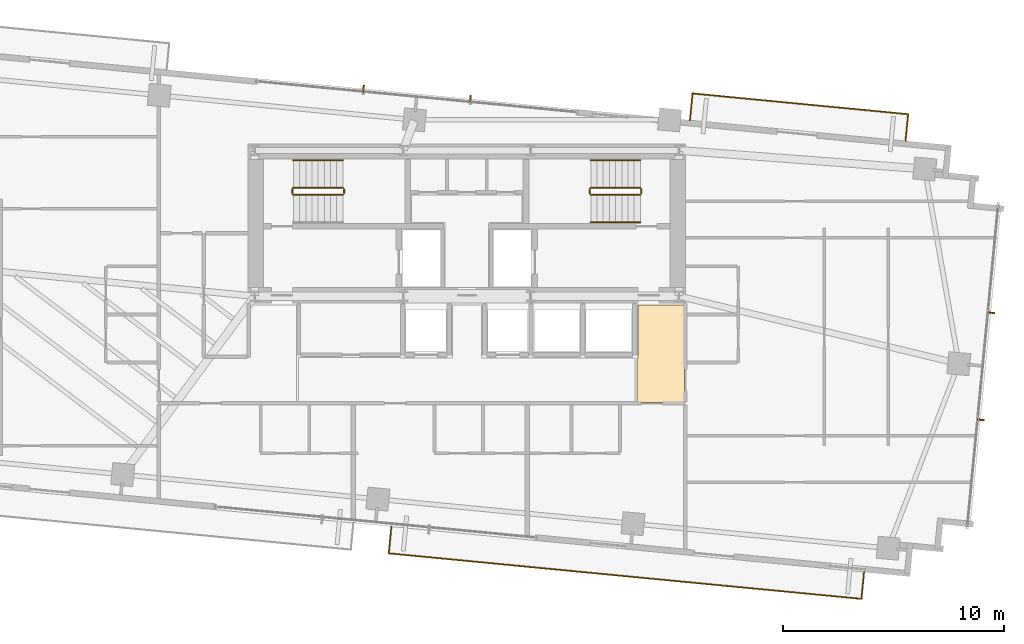
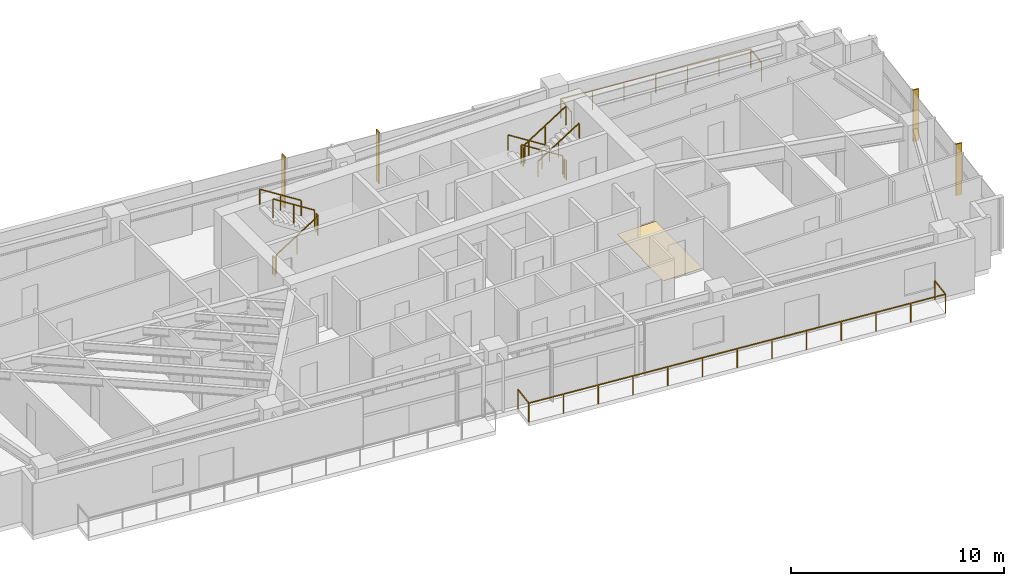
# One storey, part 19 of 19: 13 railings, 4 shading devices, 1 covering.
"""IFC4 building model written with IfcOpenShell, lengths in metres."""

import ifcopenshell
import ifcopenshell.guid

model = None  # the IFC model being written
_history = None  # IfcOwnerHistory: only IFC2X3 demands one
_inside = {}  # id of a spatial element -> (the spatial element, [elements in it])
_under = {}  # id of a project, library or spatial element -> (it, [spatial elements below it])
_declared = {}  # id of a project -> (the project, [libraries it declares])
_typed = {}  # id of a type object -> (the type object, [elements of that type])
_made_of = {}  # id of a material, layer set ... -> (it, [elements and type objects made of it])


def new_model(schema):
    """Start an empty IFC model of exactly this schema.

    Asked for "IFC4X3", IfcOpenShell would pick the latest addendum, in which some entities
    have other attributes; the version numbers below select the first issue.
    IFC2X3 requires an IfcOwnerHistory on every rooted entity: one is made here for all.
    """
    global model, _history
    if schema == "IFC4X3":
        model = ifcopenshell.file(schema_version=(4, 3, 0, 0))
    else:
        model = ifcopenshell.file(schema=schema)
    _inside.clear()
    _under.clear()
    _declared.clear()
    _typed.clear()
    _made_of.clear()
    _history = None
    if model.schema == "IFC2X3":
        org = make("IfcOrganization", Name="unknown")
        user = make(
            "IfcPersonAndOrganization",
            ThePerson=make("IfcPerson", FamilyName="unknown"),
            TheOrganization=org,
        )
        app = make(
            "IfcApplication",
            ApplicationDeveloper=org,
            Version="unknown",
            ApplicationFullName="unknown",
            ApplicationIdentifier="unknown",
        )
        _history = make(
            "IfcOwnerHistory",
            OwningUser=user,
            OwningApplication=app,
            ChangeAction="ADDED",
            CreationDate=0,
        )
    return model


def make(cls, **values):
    """One entity of the class cls with the attributes given. An attribute that is None is left unset."""
    return model.create_entity(
        cls, **{name: value for name, value in values.items() if value is not None}
    )


def rooted(cls, **values):
    """An entity with a GlobalId (a new one), such as an element, a storey or a relation."""
    return make(cls, GlobalId=ifcopenshell.guid.new(), OwnerHistory=_history, **values)


def si_unit(unit_type, name, prefix=None):
    """IfcSIUnit, for example si_unit("LENGTHUNIT", "METRE", prefix="MILLI")."""
    return make("IfcSIUnit", UnitType=unit_type, Prefix=prefix, Name=name)


def assignment(units):
    """IfcUnitAssignment: the units of a project."""
    return None if units is None else make("IfcUnitAssignment", Units=units)


def point(xyz):
    """IfcCartesianPoint."""
    return None if xyz is None else make("IfcCartesianPoint", Coordinates=xyz)


def direction(xyz):
    """IfcDirection."""
    return None if xyz is None else make("IfcDirection", DirectionRatios=xyz)


def frame(location, z_axis=None, x_axis=None):
    """IfcAxis2Placement3D, a coordinate frame: its origin and axes. An axis left out is left unset."""
    return make(
        "IfcAxis2Placement3D",
        Location=point(location),
        Axis=direction(z_axis),
        RefDirection=direction(x_axis),
    )


def frame_2d(location, x_axis=None):
    """IfcAxis2Placement2D, a coordinate frame in the plane: its origin and x axis."""
    return make(
        "IfcAxis2Placement2D", Location=point(location), RefDirection=direction(x_axis)
    )


def origin():
    """The frame at (0, 0, 0) with its axes left unset."""
    return frame((0.0, 0.0, 0.0))


def origin_2d():
    """The frame at (0, 0) in the plane with its x axis left unset."""
    return frame_2d((0.0, 0.0))


def place(relative_to, where):
    """IfcLocalPlacement: puts the frame where relative to a parent placement (None: the world)."""
    return make(
        "IfcLocalPlacement", PlacementRelTo=relative_to, RelativePlacement=where
    )


def context(
    kind, dimensions, precision=None, world=None, true_north=None, identifier=None
):
    """IfcGeometricRepresentationContext, for example the 3D "Model" context."""
    return make(
        "IfcGeometricRepresentationContext",
        ContextIdentifier=identifier,
        ContextType=kind,
        CoordinateSpaceDimension=dimensions,
        Precision=precision,
        WorldCoordinateSystem=world,
        TrueNorth=true_north,
    )


def subcontext(parent, identifier, kind, view, scale=None):
    """IfcGeometricRepresentationSubContext, for example "Body" below "Model"."""
    return make(
        "IfcGeometricRepresentationSubContext",
        ContextIdentifier=identifier,
        ContextType=kind,
        ParentContext=parent,
        TargetScale=scale,
        TargetView=view,
    )


def project(units=None, contexts=None):
    """IfcProject with its units and contexts."""
    return rooted(
        "IfcProject",
        Name="project",
        RepresentationContexts=contexts,
        UnitsInContext=assignment(units),
    )


def spatial(cls, under=None, at=None, **own):
    """A site, building, storey or space (cls), placed at a placement, below another one or the project."""
    s = rooted(cls, ObjectPlacement=at, **own)
    if under is not None:
        _under.setdefault(under.id(), (under, []))[1].append(s)
    return s


def polyline(points):
    """IfcPolyline through the points."""
    return make("IfcPolyline", Points=[point(p) for p in points])


def profile(cls, at=None, kind="AREA", **sizes):
    """A parametric profile (cls). Its sizes go by their IFC names, for example OverallWidth=200.0."""
    return make(cls, ProfileType=kind, Position=at, **sizes)


def rectangle(**sizes):
    """IfcRectangleProfileDef."""
    return profile("IfcRectangleProfileDef", **sizes)


def outline(outer, holes=None, kind="AREA"):
    """IfcArbitraryClosedProfileDef: a profile drawn as a closed curve; with holes, ...WithVoids."""
    if holes is None:
        return make("IfcArbitraryClosedProfileDef", ProfileType=kind, OuterCurve=outer)
    return make(
        "IfcArbitraryProfileDefWithVoids",
        ProfileType=kind,
        OuterCurve=outer,
        InnerCurves=holes,
    )


def extrude(swept, where, along, depth):
    """IfcExtrudedAreaSolid: the profile swept, set in the frame where, extruded along a direction by depth."""
    return make(
        "IfcExtrudedAreaSolid",
        SweptArea=swept,
        Position=where,
        ExtrudedDirection=direction(along),
        Depth=depth,
    )


def shape(context_of_items, identifier, shape_type, items):
    """IfcShapeRepresentation: the items that make up one representation, for example the "Body"."""
    return make(
        "IfcShapeRepresentation",
        ContextOfItems=context_of_items,
        RepresentationIdentifier=identifier,
        RepresentationType=shape_type,
        Items=items,
    )


def source(mapping_origin, context_of_items, identifier, shape_type, items):
    """IfcRepresentationMap: a shape defined once, which mapped items show again and again."""
    return make(
        "IfcRepresentationMap",
        MappingOrigin=mapping_origin,
        MappedRepresentation=shape(context_of_items, identifier, shape_type, items),
    )


def transform(
    local_origin,
    x_axis=None,
    y_axis=None,
    z_axis=None,
    scale=None,
    scale2=None,
    scale3=None,
    uniform=True,
):
    """IfcCartesianTransformationOperator3D, or its non-uniform kind. x_axis, y_axis, z_axis: its Axis1, 2, 3."""
    if uniform:
        return make(
            "IfcCartesianTransformationOperator3D",
            Axis1=direction(x_axis),
            Axis2=direction(y_axis),
            LocalOrigin=point(local_origin),
            Scale=scale,
            Axis3=direction(z_axis),
        )
    return make(
        "IfcCartesianTransformationOperator3DnonUniform",
        Axis1=direction(x_axis),
        Axis2=direction(y_axis),
        LocalOrigin=point(local_origin),
        Scale=scale,
        Axis3=direction(z_axis),
        Scale2=scale2,
        Scale3=scale3,
    )


def mapped(mapping_source, mapping_target):
    """IfcMappedItem: shows the shape of a source again, moved by a transform."""
    return make(
        "IfcMappedItem", MappingSource=mapping_source, MappingTarget=mapping_target
    )


def material(Name=None, Category=None):
    """IfcMaterial."""
    return make("IfcMaterial", Name=Name, Category=Category)


def layer(
    of_material, thickness, ventilated=None, Name=None, Category=None, Priority=None
):
    """IfcMaterialLayer: one layer of a wall or slab, of a material (None: an air gap)."""
    return make(
        "IfcMaterialLayer",
        Material=of_material,
        LayerThickness=thickness,
        IsVentilated=ventilated,
        Name=Name,
        Category=Category,
        Priority=Priority,
    )


def layer_set(layers, Name=None):
    """IfcMaterialLayerSet."""
    return make("IfcMaterialLayerSet", MaterialLayers=layers, LayerSetName=Name)


def made_of(thing, what):
    """Note that an element or type object is made of a material, layer set ...; save() writes the relation."""
    if what is not None:
        _made_of.setdefault(what.id(), (what, []))[1].append(thing)
    return thing


def type_object(cls, material=None, **own):
    """A type object (cls), such as IfcWallType, which elements share."""
    return made_of(rooted(cls, **own), material)


def type_shapes(of_type, sources):
    """Give a type object the sources (RepresentationMaps) that its elements show as mapped items."""
    of_type.RepresentationMaps = sources


def element(
    cls,
    number,
    at=None,
    inside=None,
    cuts=None,
    type_object=None,
    material=None,
    context=None,
    identifier="Body",
    shape_type=None,
    held_by="IfcProductDefinitionShape",
    body=None,
    shapes=None,
    **own,
):
    """One element of the class cls, such as IfcWall. Its Tag is "e" and its number.

    at: its placement. inside: the storey or other place that contains it. cuts: it is an
    opening in that element (IfcRelVoidsElement). A single representation is given by context,
    identifier, shape_type and body (its items); several are given by shapes. held_by: the class
    of the entity that holds the representations. save() writes the other relations.
    """
    e = rooted(cls, Tag="e%d" % number, ObjectPlacement=at, **own)
    if body is not None:
        shapes = [shape(context, identifier, shape_type, body)]
    if shapes is not None:
        e.Representation = make(held_by, Representations=shapes)
    if inside is not None:
        _inside.setdefault(inside.id(), (inside, []))[1].append(e)
    if cuts is not None:
        rooted(
            "IfcRelVoidsElement", RelatingBuildingElement=cuts, RelatedOpeningElement=e
        )
    if type_object is not None:
        _typed.setdefault(type_object.id(), (type_object, []))[1].append(e)
    return made_of(e, material)


def aggregate(whole, parts):
    """IfcRelAggregates: a whole, such as a stair, and the parts it consists of."""
    return rooted("IfcRelAggregates", RelatingObject=whole, RelatedObjects=parts)


def save(model, path):
    """Write the relations noted so far, then the file.

    IfcRelAggregates (storeys below a building ...), IfcRelContainedInSpatialStructure (elements
    in a storey), IfcRelDefinesByType, IfcRelAssociatesMaterial and IfcRelDeclares: one each for
    every whole, place, type object, material and project.
    """
    for whole, parts in _under.values():
        aggregate(whole, parts)
    for where, things in _inside.values():
        rooted(
            "IfcRelContainedInSpatialStructure",
            RelatedElements=things,
            RelatingStructure=where,
        )
    for kind, things in _typed.values():
        rooted("IfcRelDefinesByType", RelatedObjects=things, RelatingType=kind)
    for what, things in _made_of.values():
        rooted("IfcRelAssociatesMaterial", RelatedObjects=things, RelatingMaterial=what)
    for by, libraries in _declared.values():
        rooted("IfcRelDeclares", RelatingContext=by, RelatedDefinitions=libraries)
    model.write(path)


model = new_model("IFC4")

# Units and contexts
model_context = context("Model", 3, precision=1e-05, world=origin(), true_north=direction((0.0, 1.0)))
body_context = subcontext(model_context, "Body", "Model", "MODEL_VIEW")
ifc_project = project(units=[si_unit("LENGTHUNIT", "METRE"), si_unit("AREAUNIT", "SQUARE_METRE"), si_unit("VOLUMEUNIT", "CUBIC_METRE"), si_unit("PLANEANGLEUNIT", "RADIAN"), si_unit("MASSUNIT", "GRAM", prefix="KILO")], contexts=[model_context])

# Site, building, storey
site_placement = place(None, origin())
site = spatial("IfcSite", under=ifc_project, at=site_placement, CompositionType="ELEMENT")
building_placement = place(site_placement, origin())
building = spatial("IfcBuilding", under=site, at=building_placement, Name="Astriad Promenade Condominiums", CompositionType="ELEMENT")
storey_placement = place(building_placement, frame((0.0, 0.0, 150.199951171875)))
storey = spatial("IfcBuildingStorey", under=building, at=storey_placement, Name="L43", CompositionType="ELEMENT", Elevation=150.199951171875)

# Covering
ifc_material_1 = material(Name="Polished Lakefront Terrazzo Flooring")
ifc_layer = layer(ifc_material_1, 0.02001953125)
ifc_layer_set = layer_set([ifc_layer], Name="Polished Lakefront Terrazzo Flooring")
covering_type = type_object("IfcCoveringType", Name="COV-FLOR-TERRAZZO-20", PredefinedType="FLOORING", material=ifc_layer_set)
covering_placement = place(storey_placement, origin())
element("IfcCovering", 1, at=covering_placement, inside=storey, type_object=covering_type, Name="FLR-L43-COR-1", PredefinedType="FLOORING", context=body_context, shape_type="SweptSolid", body=[
    extrude(outline(polyline([(43.699951171875, 12.590087890625), (43.699951171875, 14.610107421875), (43.703857421875, 14.610107421875), (43.707763671875, 14.61083984375), (43.711669921875, 14.61181640625), (43.71533203125, 14.613037109375), (43.718994140625, 14.61474609375), (43.72216796875, 14.61669921875), (43.725341796875, 14.619140625), (43.728271484375, 14.62158203125), (43.73095703125, 14.62451171875), (43.7333984375, 14.627685546875), (43.7353515625, 14.631103515625), (43.737060546875, 14.634765625), (43.73828125, 14.638427734375), (43.7392578125, 14.64208984375), (43.73974609375, 14.64599609375), (43.739990234375, 14.64990234375), (43.739990234375, 17.010009765625), (45.840087890625, 17.010009765625), (45.840087890625, 12.590087890625), (43.699951171875, 12.590087890625)])), origin(), (0.0, 0.0, 1.0), 0.02001953125),
])

# Shading devices
ifc_material_2 = material(Name="Anodised aluminium 6063-T6 Black Fin", Category="aluminium")
shading_device_type = type_object("IfcShadingDeviceType", Name="FIN-BLACK-260", PredefinedType="USERDEFINED", material=ifc_material_2)
shared_shape_1 = source(origin(), body_context, "Body", "SweptSolid", [
    extrude(rectangle(XDim=0.06494140625, YDim=0.320068359375, at=origin_2d()), origin(), (0.0, 0.0, 1.0), 2.93994140625),
])
type_shapes(shading_device_type, [shared_shape_1])
for number, where, z_axis, x_axis, name in (
    (2, (31.3212890625, 26.7978515625, 0.0), (0.0, 0.0, 1.0), (0.995396198367, -0.09584575252, 0.0), "CW-L43-N-FIN-01"),
    (3, (36.1591796875, 26.331787109375, 0.0), (0.0, 0.0, 1.0), (0.995396198367, -0.09584575252, 0.0), "CW-L43-N-FIN-02"),
    (4, (59.7197265625, 16.652587890625, 0.0), (0.0, 0.0, 1.0), (-0.09584575252, -0.995396198367, 0.0), "CW-L43-E-FIN-01"),
    (5, (59.25341796875, 11.808349609375, 0.0), (0.0, 0.0, 1.0), (-0.09584575252, -0.995396198367, 0.0), "CW-L43-E-FIN-02"),
):
    element("IfcShadingDevice", number, at=place(storey_placement, frame(where, z_axis=z_axis, x_axis=x_axis)), inside=storey, type_object=shading_device_type, Name=name, ObjectType="FIN", PredefinedType="USERDEFINED", context=body_context, shape_type="MappedRepresentation", body=[
        mapped(shared_shape_1, transform((0.0, 0.0, 0.0), scale=1.0)),
    ])

# Railings
ifc_material_3 = material(Name="Laminated Glass and Stainless Steel Balustrade", Category="steel")
railing_type_1 = type_object("IfcRailingType", Name="GRD-BALC-1120", PredefinedType="BALUSTRADE", material=ifc_material_3)
shared_shape_2 = source(origin(), body_context, "Body", "SweptSolid", [
    extrude(rectangle(XDim=0.048095703125, YDim=0.048095703125, at=origin_2d()), frame((0.0, 0.0, 1.09619140625), z_axis=(-0.095857307208, -0.99539508571, 0.0), x_axis=(0.99539508571, -0.095857307208, 0.0)), (0.0, 0.0, 1.0), 1.219970703125),
    extrude(rectangle(XDim=0.048095703125, YDim=0.048095703125, at=origin_2d()), frame((-0.116943359375, -1.21435546875, 1.09619140625), z_axis=(0.995396826412, -0.095839229801, 0.0), x_axis=(0.095839229801, 0.995396826412, 0.0)), (0.0, 0.0, 1.0), 21.494873046875),
    extrude(rectangle(XDim=0.048095703125, YDim=0.048095703125, at=origin_2d()), frame((21.279052734375, -3.2744140625, 1.09619140625), z_axis=(0.095857307208, 0.99539508571, 0.0), x_axis=(-0.99539508571, 0.095857307208, 0.0)), (0.0, 0.0, 1.0), 1.219970703125),
    extrude(rectangle(XDim=0.0419921875, YDim=0.0419921875, at=origin_2d()), origin(), (0.0, 0.0, 1.0), 1.072021484375),
    extrude(rectangle(XDim=0.0419921875, YDim=0.0419921875, at=origin_2d()), frame((-0.116943359375, -1.21435546875, 0.0)), (0.0, 0.0, 1.0), 1.072021484375),
    extrude(rectangle(XDim=0.0419921875, YDim=0.0419921875, at=origin_2d()), frame((1.666015625, -1.385986328125, 0.0)), (0.0, 0.0, 1.0), 1.072021484375),
    extrude(rectangle(XDim=0.0419921875, YDim=0.0419921875, at=origin_2d()), frame((3.448974609375, -1.5576171875, 0.0)), (0.0, 0.0, 1.0), 1.072021484375),
    extrude(rectangle(XDim=0.0419921875, YDim=0.0419921875, at=origin_2d()), frame((5.23193359375, -1.7294921875, 0.0)), (0.0, 0.0, 1.0), 1.072021484375),
    extrude(rectangle(XDim=0.0419921875, YDim=0.0419921875, at=origin_2d()), frame((7.01513671875, -1.901123046875, 0.0)), (0.0, 0.0, 1.0), 1.072021484375),
    extrude(rectangle(XDim=0.0419921875, YDim=0.0419921875, at=origin_2d()), frame((8.798095703125, -2.07275390625, 0.0)), (0.0, 0.0, 1.0), 1.072021484375),
    extrude(rectangle(XDim=0.0419921875, YDim=0.0419921875, at=origin_2d()), frame((10.5810546875, -2.244384765625, 0.0)), (0.0, 0.0, 1.0), 1.072021484375),
    extrude(rectangle(XDim=0.0419921875, YDim=0.0419921875, at=origin_2d()), frame((12.364013671875, -2.416015625, 0.0)), (0.0, 0.0, 1.0), 1.072021484375),
    extrude(rectangle(XDim=0.0419921875, YDim=0.0419921875, at=origin_2d()), frame((14.14697265625, -2.587646484375, 0.0)), (0.0, 0.0, 1.0), 1.072021484375),
    extrude(rectangle(XDim=0.0419921875, YDim=0.0419921875, at=origin_2d()), frame((15.93017578125, -2.75927734375, 0.0)), (0.0, 0.0, 1.0), 1.072021484375),
    extrude(rectangle(XDim=0.0419921875, YDim=0.0419921875, at=origin_2d()), frame((17.713134765625, -2.93115234375, 0.0)), (0.0, 0.0, 1.0), 1.072021484375),
    extrude(rectangle(XDim=0.0419921875, YDim=0.0419921875, at=origin_2d()), frame((19.49609375, -3.102783203125, 0.0)), (0.0, 0.0, 1.0), 1.072021484375),
    extrude(rectangle(XDim=0.0419921875, YDim=0.0419921875, at=origin_2d()), frame((21.279052734375, -3.2744140625, 0.0)), (0.0, 0.0, 1.0), 1.072021484375),
    extrude(rectangle(XDim=0.0419921875, YDim=0.0419921875, at=origin_2d()), frame((21.39599609375, -2.06005859375, 0.0)), (0.0, 0.0, 1.0), 1.072021484375),
])
railing_1_placement = place(storey_placement, frame((32.579345703125, 6.975830078125, 0.0)))
element("IfcRailing", 6, at=railing_1_placement, inside=storey, type_object=railing_type_1, Name="GRD-BALC-L43-SE", PredefinedType="BALUSTRADE", context=body_context, shape_type="MappedRepresentation", body=[
    mapped(shared_shape_2, transform((0.0, 0.0, 0.0), scale=1.0)),
])
shared_shape_3 = source(origin(), body_context, "Body", "SweptSolid", [
    extrude(rectangle(XDim=0.048095703125, YDim=0.048095703125, at=origin_2d()), frame((0.0, 0.0, 1.09619140625), z_axis=(0.095857307208, 0.99539508571, 0.0), x_axis=(-0.99539508571, 0.095857307208, 0.0)), (0.0, 0.0, 1.0), 1.219970703125),
    extrude(rectangle(XDim=0.048095703125, YDim=0.048095703125, at=origin_2d()), frame((0.116943359375, 1.21435546875, 1.09619140625), z_axis=(-0.995396477647, 0.095842852043, 0.0), x_axis=(-0.095842852043, -0.995396477647, 0.0)), (0.0, 0.0, 1.0), 9.80712890625),
    extrude(rectangle(XDim=0.048095703125, YDim=0.048095703125, at=origin_2d()), frame((-9.64501953125, 2.154296875, 1.09619140625), z_axis=(-0.095659020692, -0.99541416092, 0.0), x_axis=(0.99541416092, -0.095659020692, 0.0)), (0.0, 0.0, 1.0), 1.219970703125),
    extrude(rectangle(XDim=0.0419921875, YDim=0.0419921875, at=origin_2d()), origin(), (0.0, 0.0, 1.0), 1.072021484375),
    extrude(rectangle(XDim=0.0419921875, YDim=0.0419921875, at=origin_2d()), frame((0.116943359375, 1.21435546875, 0.0)), (0.0, 0.0, 1.0), 1.072021484375),
    extrude(rectangle(XDim=0.0419921875, YDim=0.0419921875, at=origin_2d()), frame((-1.510009765625, 1.37109375, 0.0)), (0.0, 0.0, 1.0), 1.072021484375),
    extrude(rectangle(XDim=0.0419921875, YDim=0.0419921875, at=origin_2d()), frame((-3.136962890625, 1.527587890625, 0.0)), (0.0, 0.0, 1.0), 1.072021484375),
    extrude(rectangle(XDim=0.0419921875, YDim=0.0419921875, at=origin_2d()), frame((-4.76416015625, 1.684326171875, 0.0)), (0.0, 0.0, 1.0), 1.072021484375),
    extrude(rectangle(XDim=0.0419921875, YDim=0.0419921875, at=origin_2d()), frame((-6.39111328125, 1.841064453125, 0.0)), (0.0, 0.0, 1.0), 1.072021484375),
    extrude(rectangle(XDim=0.0419921875, YDim=0.0419921875, at=origin_2d()), frame((-8.01806640625, 1.99755859375, 0.0)), (0.0, 0.0, 1.0), 1.072021484375),
    extrude(rectangle(XDim=0.0419921875, YDim=0.0419921875, at=origin_2d()), frame((-9.64501953125, 2.154296875, 0.0)), (0.0, 0.0, 1.0), 1.072021484375),
    extrude(rectangle(XDim=0.0419921875, YDim=0.0419921875, at=origin_2d()), frame((-9.76171875, 0.93994140625, 0.0)), (0.0, 0.0, 1.0), 1.072021484375),
])
type_shapes(railing_type_1, [shared_shape_2, shared_shape_3])
railing_2_placement = place(storey_placement, frame((55.85400390625, 24.425537109375, 0.0)))
element("IfcRailing", 7, at=railing_2_placement, inside=storey, type_object=railing_type_1, Name="GRD-BALC-L43-NE", PredefinedType="BALUSTRADE", context=body_context, shape_type="MappedRepresentation", body=[
    mapped(shared_shape_3, transform((0.0, 0.0, 0.0), scale=1.0)),
])
ifc_material_4 = material(Name="Painted Galvanised Steel Guardrail", Category="steel")
railing_type_2 = type_object("IfcRailingType", Name="GRD-STAIR-1100", PredefinedType="GUARDRAIL", material=ifc_material_4)
shared_shape_4 = source(origin(), body_context, "Body", "SweptSolid", [
    extrude(rectangle(XDim=0.048095703125, YDim=0.048095703125, at=origin_2d()), frame((0.0, 0.0, 1.076171875), z_axis=(0.0, 1.0, 0.0), x_axis=(-1.0, 0.0, 0.0)), (0.0, 0.0, 1.0), 0.199951171875),
    extrude(rectangle(XDim=0.0419921875, YDim=0.0419921875, at=origin_2d()), origin(), (0.0, 0.0, 1.0), 1.052001953125),
    extrude(rectangle(XDim=0.0419921875, YDim=0.0419921875, at=origin_2d()), frame((0.0, 0.199951171875, 0.0)), (0.0, 0.0, 1.0), 1.052001953125),
])
for number, where, name in (
    (8, (30.43994140625, 22.050048828125, 1.60009765625), "L43 ST-1 stair guard 2"),
    (9, (28.10009765625, 22.050048828125, 0.0), "L43 ST-1 stair guard 4"),
):
    element("IfcRailing", number, at=place(storey_placement, frame(where)), inside=storey, type_object=railing_type_2, Name=name, PredefinedType="GUARDRAIL", context=body_context, shape_type="MappedRepresentation", body=[
        mapped(shared_shape_4, transform((0.0, 0.0, 0.0), scale=1.0)),
    ])
shared_shape_5 = source(origin(), body_context, "Body", "SweptSolid", [
    extrude(rectangle(XDim=0.048095703125, YDim=0.048095703125, at=origin_2d()), frame((0.0, 0.0, 1.076171875), z_axis=(0.84418770128, 0.0, 0.536047689118), x_axis=(0.0, 1.0, 0.0)), (0.0, 0.0, 1.0), 2.6533203125),
    extrude(rectangle(XDim=0.0419921875, YDim=0.0419921875, at=origin_2d()), origin(), (0.0, 0.0, 1.0), 1.052001953125),
    extrude(rectangle(XDim=0.0419921875, YDim=0.0419921875, at=origin_2d()), frame((1.1201171875, 0.0, 0.711181640625)), (0.0, 0.0, 1.0), 1.052001953125),
    extrude(rectangle(XDim=0.0419921875, YDim=0.0419921875, at=origin_2d()), frame((2.239990234375, 0.0, 1.42236328125)), (0.0, 0.0, 1.0), 1.052001953125),
])
railing_3_placement = place(storey_placement, frame((28.14990234375, 22.0, 0.177734375)))
element("IfcRailing", 10, at=railing_3_placement, inside=storey, type_object=railing_type_2, Name="L43 ST-1 stair guard 1", PredefinedType="GUARDRAIL", context=body_context, shape_type="MappedRepresentation", body=[
    mapped(shared_shape_5, transform((0.0, 0.0, 0.0), scale=1.0)),
])
shared_shape_6 = source(origin(), body_context, "Body", "SweptSolid", [
    extrude(rectangle(XDim=0.048095703125, YDim=0.048095703125, at=origin_2d()), frame((0.0, 0.0, 1.076171875), z_axis=(-0.8442293374, 0.0, 0.53598211339), x_axis=(0.0, -1.0, 0.0)), (0.0, 0.0, 1.0), 2.6533203125),
    extrude(rectangle(XDim=0.0419921875, YDim=0.0419921875, at=origin_2d()), origin(), (0.0, 0.0, 1.0), 1.052001953125),
    extrude(rectangle(XDim=0.0419921875, YDim=0.0419921875, at=origin_2d()), frame((-1.1201171875, 0.0, 0.7109375)), (0.0, 0.0, 1.0), 1.052001953125),
    extrude(rectangle(XDim=0.0419921875, YDim=0.0419921875, at=origin_2d()), frame((-2.239990234375, 0.0, 1.422119140625)), (0.0, 0.0, 1.0), 1.052001953125),
])
railing_4_placement = place(storey_placement, frame((30.389892578125, 22.300048828125, 1.77783203125)))
element("IfcRailing", 11, at=railing_4_placement, inside=storey, type_object=railing_type_2, Name="L43 ST-1 stair guard 3", PredefinedType="GUARDRAIL", context=body_context, shape_type="MappedRepresentation", body=[
    mapped(shared_shape_6, transform((0.0, 0.0, 0.0), scale=1.0)),
])
ifc_material_5 = material(Name="Brushed Stainless Steel Handrail", Category="steel")
railing_type_3 = type_object("IfcRailingType", Name="HRL-STAIR-920", PredefinedType="HANDRAIL", material=ifc_material_5)
shared_shape_7 = source(origin(), body_context, "Body", "SweptSolid", [
    extrude(rectangle(XDim=0.048095703125, YDim=0.048095703125, at=origin_2d()), frame((0.0, 0.0, 0.8759765625), z_axis=(-0.8442293374, 0.0, 0.53598211339), x_axis=(0.0, -1.0, 0.0)), (0.0, 0.0, 1.0), 2.6533203125),
    extrude(rectangle(XDim=0.0419921875, YDim=0.0419921875, at=origin_2d()), origin(), (0.0, 0.0, 1.0), 0.851806640625),
    extrude(rectangle(XDim=0.0419921875, YDim=0.0419921875, at=origin_2d()), frame((-1.1201171875, 0.0, 0.7109375)), (0.0, 0.0, 1.0), 0.851806640625),
    extrude(rectangle(XDim=0.0419921875, YDim=0.0419921875, at=origin_2d()), frame((-2.239990234375, 0.0, 1.422119140625)), (0.0, 0.0, 1.0), 0.851806640625),
])
railing_5_placement = place(storey_placement, frame((30.389892578125, 23.550048828125, 1.77783203125)))
element("IfcRailing", 12, at=railing_5_placement, inside=storey, type_object=railing_type_3, Name="L43 ST-1 stair handrail 2", PredefinedType="HANDRAIL", context=body_context, shape_type="MappedRepresentation", body=[
    mapped(shared_shape_7, transform((0.0, 0.0, 0.0), scale=1.0)),
])
shared_shape_8 = source(origin(), body_context, "Body", "SweptSolid", [
    extrude(rectangle(XDim=0.048095703125, YDim=0.048095703125, at=origin_2d()), frame((0.0, 0.0, 1.076171875), z_axis=(0.8442293374, 0.0, 0.53598211339), x_axis=(0.0, 1.0, 0.0)), (0.0, 0.0, 1.0), 2.6533203125),
    extrude(rectangle(XDim=0.0419921875, YDim=0.0419921875, at=origin_2d()), origin(), (0.0, 0.0, 1.0), 1.052001953125),
    extrude(rectangle(XDim=0.0419921875, YDim=0.0419921875, at=origin_2d()), frame((1.1201171875, 0.0, 0.7109375)), (0.0, 0.0, 1.0), 1.052001953125),
    extrude(rectangle(XDim=0.0419921875, YDim=0.0419921875, at=origin_2d()), frame((2.239990234375, 0.0, 1.422119140625)), (0.0, 0.0, 1.0), 1.052001953125),
])
railing_6_placement = place(storey_placement, frame((41.610107421875, 22.0, 1.77783203125)))
element("IfcRailing", 13, at=railing_6_placement, inside=storey, type_object=railing_type_2, Name="L43 ST-2 stair guard 3", PredefinedType="GUARDRAIL", context=body_context, shape_type="MappedRepresentation", body=[
    mapped(shared_shape_8, transform((0.0, 0.0, 0.0), scale=1.0)),
])
shared_shape_9 = source(origin(), body_context, "Body", "SweptSolid", [
    extrude(rectangle(XDim=0.048095703125, YDim=0.048095703125, at=origin_2d()), frame((0.0, 0.0, 1.076171875), z_axis=(-0.84418770128, 0.0, 0.536047689118), x_axis=(0.0, -1.0, 0.0)), (0.0, 0.0, 1.0), 2.6533203125),
    extrude(rectangle(XDim=0.0419921875, YDim=0.0419921875, at=origin_2d()), origin(), (0.0, 0.0, 1.0), 1.052001953125),
    extrude(rectangle(XDim=0.0419921875, YDim=0.0419921875, at=origin_2d()), frame((-1.1201171875, 0.0, 0.711181640625)), (0.0, 0.0, 1.0), 1.052001953125),
    extrude(rectangle(XDim=0.0419921875, YDim=0.0419921875, at=origin_2d()), frame((-2.239990234375, 0.0, 1.42236328125)), (0.0, 0.0, 1.0), 1.052001953125),
])
railing_7_placement = place(storey_placement, frame((43.85009765625, 22.300048828125, 0.177734375)))
element("IfcRailing", 14, at=railing_7_placement, inside=storey, type_object=railing_type_2, Name="L43 ST-2 stair guard 1", PredefinedType="GUARDRAIL", context=body_context, shape_type="MappedRepresentation", body=[
    mapped(shared_shape_9, transform((0.0, 0.0, 0.0), scale=1.0)),
])
shared_shape_10 = source(origin(), body_context, "Body", "SweptSolid", [
    extrude(rectangle(XDim=0.048095703125, YDim=0.048095703125, at=origin_2d()), frame((0.0, 0.0, 0.8759765625), z_axis=(0.8442293374, 0.0, 0.53598211339), x_axis=(0.0, 1.0, 0.0)), (0.0, 0.0, 1.0), 2.6533203125),
    extrude(rectangle(XDim=0.0419921875, YDim=0.0419921875, at=origin_2d()), origin(), (0.0, 0.0, 1.0), 0.851806640625),
    extrude(rectangle(XDim=0.0419921875, YDim=0.0419921875, at=origin_2d()), frame((1.1201171875, 0.0, 0.7109375)), (0.0, 0.0, 1.0), 0.851806640625),
    extrude(rectangle(XDim=0.0419921875, YDim=0.0419921875, at=origin_2d()), frame((2.239990234375, 0.0, 1.422119140625)), (0.0, 0.0, 1.0), 0.851806640625),
])
railing_8_placement = place(storey_placement, frame((41.610107421875, 20.75, 1.77783203125)))
element("IfcRailing", 15, at=railing_8_placement, inside=storey, type_object=railing_type_3, Name="L43 ST-2 stair handrail 2", PredefinedType="HANDRAIL", context=body_context, shape_type="MappedRepresentation", body=[
    mapped(shared_shape_10, transform((0.0, 0.0, 0.0), scale=1.0)),
])
shared_shape_11 = source(origin(), body_context, "Body", "SweptSolid", [
    extrude(rectangle(XDim=0.048095703125, YDim=0.048095703125, at=origin_2d()), frame((0.0, 0.0, 0.8759765625), z_axis=(-0.84418770128, 0.0, 0.536047689118), x_axis=(0.0, -1.0, 0.0)), (0.0, 0.0, 1.0), 2.6533203125),
    extrude(rectangle(XDim=0.0419921875, YDim=0.0419921875, at=origin_2d()), origin(), (0.0, 0.0, 1.0), 0.851806640625),
    extrude(rectangle(XDim=0.0419921875, YDim=0.0419921875, at=origin_2d()), frame((-1.1201171875, 0.0, 0.711181640625)), (0.0, 0.0, 1.0), 0.851806640625),
    extrude(rectangle(XDim=0.0419921875, YDim=0.0419921875, at=origin_2d()), frame((-2.239990234375, 0.0, 1.42236328125)), (0.0, 0.0, 1.0), 0.851806640625),
])
type_shapes(railing_type_3, [shared_shape_7, shared_shape_10, shared_shape_11])
railing_9_placement = place(storey_placement, frame((43.85009765625, 23.550048828125, 0.177734375)))
element("IfcRailing", 16, at=railing_9_placement, inside=storey, type_object=railing_type_3, Name="L43 ST-2 stair handrail 1", PredefinedType="HANDRAIL", context=body_context, shape_type="MappedRepresentation", body=[
    mapped(shared_shape_11, transform((0.0, 0.0, 0.0), scale=1.0)),
])
shared_shape_12 = source(origin(), body_context, "Body", "SweptSolid", [
    extrude(rectangle(XDim=0.048095703125, YDim=0.048095703125, at=origin_2d()), frame((0.0, 0.0, 1.076171875), z_axis=(0.0, -1.0, 0.0), x_axis=(1.0, 0.0, 0.0)), (0.0, 0.0, 1.0), 0.199951171875),
    extrude(rectangle(XDim=0.0419921875, YDim=0.0419921875, at=origin_2d()), origin(), (0.0, 0.0, 1.0), 1.052001953125),
    extrude(rectangle(XDim=0.0419921875, YDim=0.0419921875, at=origin_2d()), frame((0.0, -0.199951171875, 0.0)), (0.0, 0.0, 1.0), 1.052001953125),
])
type_shapes(railing_type_2, [shared_shape_4, shared_shape_5, shared_shape_6, shared_shape_8, shared_shape_9, shared_shape_12])
for number, where, name in (
    (17, (41.56005859375, 22.25, 1.60009765625), "L43 ST-2 stair guard 2"),
    (18, (43.89990234375, 22.25, 0.0), "L43 ST-2 stair guard 4"),
):
    element("IfcRailing", number, at=place(storey_placement, frame(where)), inside=storey, type_object=railing_type_2, Name=name, PredefinedType="GUARDRAIL", context=body_context, shape_type="MappedRepresentation", body=[
        mapped(shared_shape_12, transform((0.0, 0.0, 0.0), scale=1.0)),
    ])

save(model, "model.ifc")
